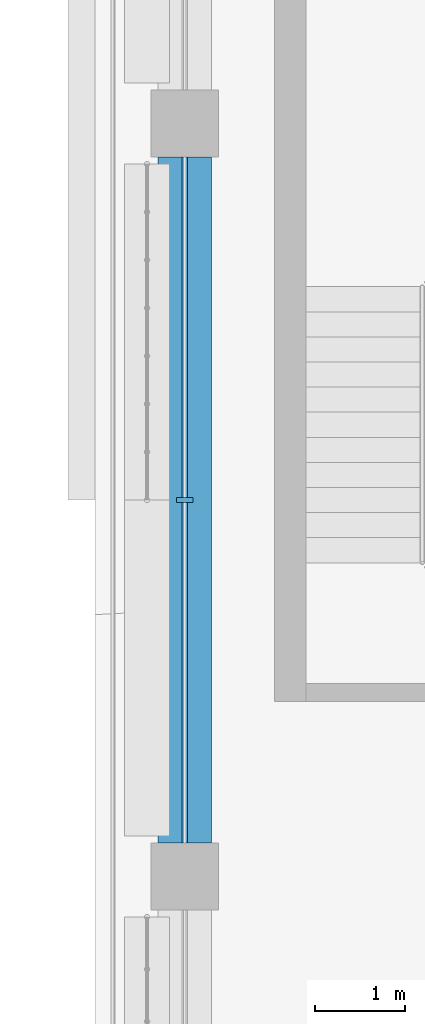
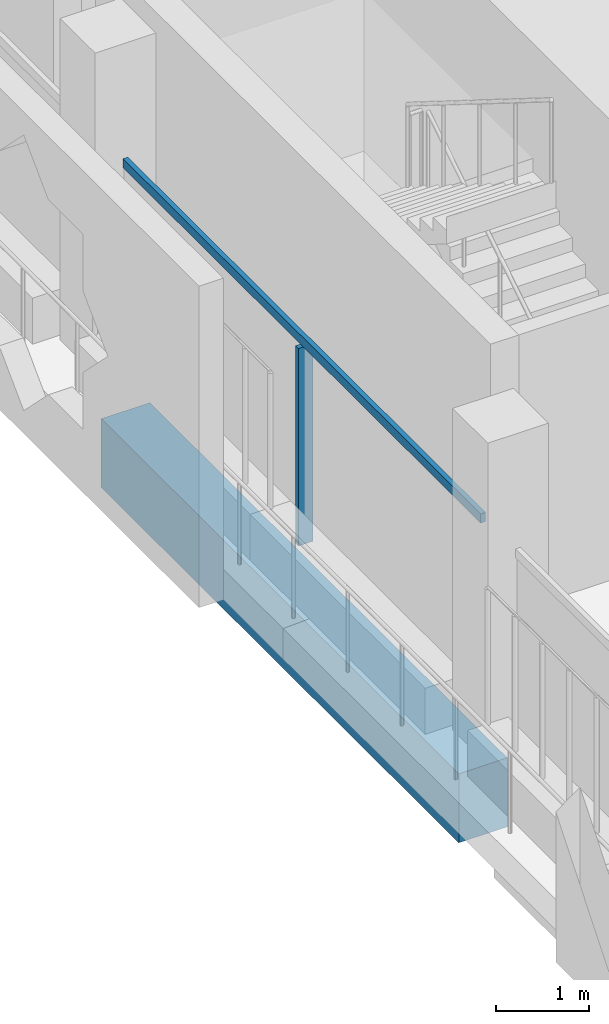
# One storey, part 4 of 21: 2 members, 1 beam, 1 element without a shape of its own.
"""IFC4 building model written with IfcOpenShell, lengths in metres."""

from ifc_helpers import new_model, si_unit, direction, frame, origin, origin_2d, place, context, subcontext, project, spatial, rectangle, extrude, material, layer, layer_set, material_profile, profile_set, type_object, element, aggregate, save


model = new_model("IFC4")

# Units and contexts
model_context = context("Model", 3, precision=1e-05, world=origin(), true_north=direction((0.0, 1.0)))
body_context = subcontext(model_context, "Body", "Model", "MODEL_VIEW")
ifc_project = project(units=[si_unit("LENGTHUNIT", "METRE"), si_unit("AREAUNIT", "SQUARE_METRE"), si_unit("VOLUMEUNIT", "CUBIC_METRE"), si_unit("PLANEANGLEUNIT", "RADIAN"), si_unit("MASSUNIT", "GRAM", prefix="KILO")], contexts=[model_context])

# Site, building, storey
site_placement = place(None, origin())
site = spatial("IfcSite", under=ifc_project, at=site_placement, CompositionType="ELEMENT")
building_placement = place(site_placement, origin())
building = spatial("IfcBuilding", under=site, at=building_placement, Name="Kawkab Arch Medical Tower", CompositionType="ELEMENT")
storey_placement = place(building_placement, frame((0.0, 0.0, 302.800048828125)))
storey = spatial("IfcBuildingStorey", under=building, at=storey_placement, Name="L70", CompositionType="ELEMENT", Elevation=302.800048828125)

# Curtain wall, members
ifc_material_1 = material(Name="Bronze anodised aluminium curtain wall frame", Category="aluminium")
ifc_layer = layer(ifc_material_1, 0.159912109375)
ifc_layer_set = layer_set([ifc_layer], Name="Bronze anodised aluminium curtain wall frame")
curtain_wall_type = type_object("IfcCurtainWallType", Name="CW1 ward curtain wall", PredefinedType="NOTDEFINED", material=ifc_layer_set)
curtain_wall_placement = place(storey_placement, origin())
curtain_wall = element("IfcCurtainWall", 1, at=curtain_wall_placement, inside=storey, type_object=curtain_wall_type, Name="CW1 Ward curtain wall R02", PredefinedType="NOTDEFINED")
ifc_material_2 = material(Name="Bronze anodised aluminium curtain wall frame", Category="aluminium")
ifc_material_profile_1 = material_profile(ifc_material_2, rectangle(XDim=0.179931640625, YDim=0.06005859375, at=origin_2d()), Name="AL 60x180")
ifc_profile_set_1 = profile_set([ifc_material_profile_1], Name="Bronze anodised aluminium curtain wall frame")
member_type_1 = type_object("IfcMemberType", Name="CW1 mullion 60 x 180", PredefinedType="MULLION", material=ifc_profile_set_1)
member_1_placement = place(storey_placement, frame((0.0, -21.0, 0.0), z_axis=(0.0, 0.0, 1.0), x_axis=(1.0, 0.0, 0.0)))
member_1 = element("IfcMember", 2, at=member_1_placement, type_object=member_type_1, Name="CW1 mullion 2.1", PredefinedType="MULLION", context=body_context, shape_type="SweptSolid", body=[
    extrude(rectangle(XDim=0.179931640625, YDim=0.06005859375, at=origin_2d()), origin(), (0.0, 0.0, 1.0), 2.579833984375),
])
ifc_material_3 = material(Name="Bronze anodised aluminium curtain wall frame", Category="aluminium")
ifc_material_profile_2 = material_profile(ifc_material_3, rectangle(XDim=0.06005859375, YDim=0.1201171875, at=origin_2d()), Name="AL 60x120")
ifc_profile_set_2 = profile_set([ifc_material_profile_2], Name="Bronze anodised aluminium curtain wall frame")
member_type_2 = type_object("IfcMemberType", Name="CW1 transom 120 x 60", PredefinedType="USERDEFINED", material=ifc_profile_set_2)
member_2_placement = place(storey_placement, frame((0.0, -17.175048828125, 2.639892578125), z_axis=(0.0, -1.0, 0.0), x_axis=(1.0, 0.0, 0.0)))
member_2 = element("IfcMember", 3, at=member_2_placement, type_object=member_type_2, Name="CW1 transom 2", ObjectType="TRANSOM", PredefinedType="USERDEFINED", context=body_context, shape_type="SweptSolid", body=[
    extrude(rectangle(XDim=0.06005859375, YDim=0.1201171875, at=origin_2d()), origin(), (0.0, 0.0, 1.0), 7.64990234375),
])
aggregate(curtain_wall, [member_2, member_1])

# Beam
ifc_material_4 = material(Name="Concrete C40/50", Category="concrete")
ifc_material_profile_3 = material_profile(ifc_material_4, rectangle(XDim=0.60009765625, YDim=0.89990234375, at=origin_2d()), Name="RC 600x900")
ifc_profile_set_3 = profile_set([ifc_material_profile_3], Name="Concrete C40/50")
beam_type = type_object("IfcBeamType", Name="RC 600x900 beam C40/50", PredefinedType="BEAM", material=ifc_profile_set_3)
beam_placement = place(storey_placement, frame((0.0, -24.824951171875, -1.050048828125), z_axis=(0.0, 1.0, 0.0), x_axis=(-1.0, 0.0, 0.0)))
element("IfcBeam", 4, at=beam_placement, inside=storey, type_object=beam_type, Name="Overhang edge beam L70-04", PredefinedType="BEAM", context=body_context, shape_type="SweptSolid", body=[
    extrude(rectangle(XDim=0.60009765625, YDim=0.89990234375, at=origin_2d()), origin(), (0.0, 0.0, 1.0), 7.64990234375),
])

save(model, "model.ifc")
